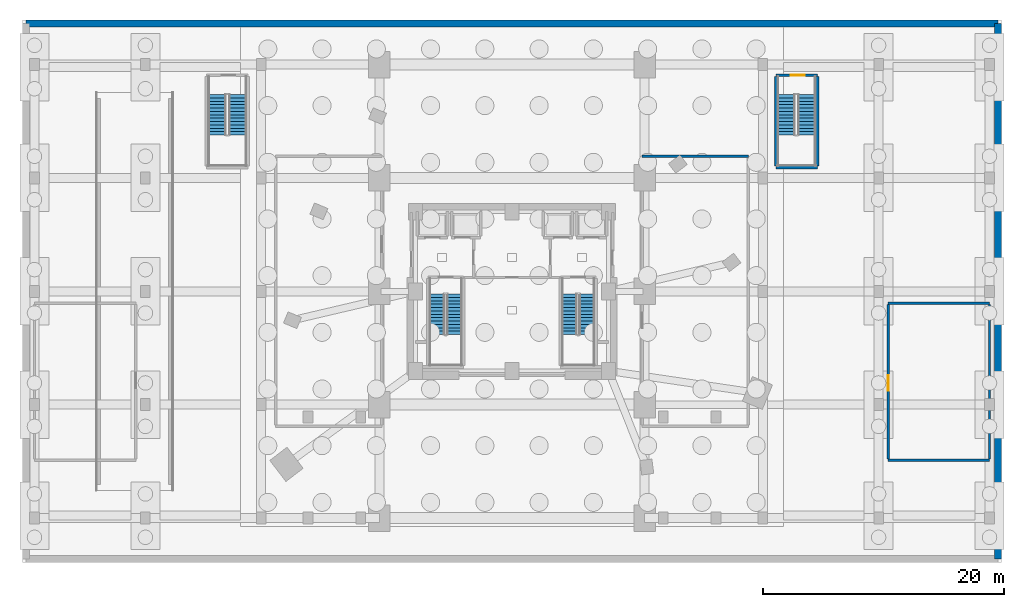
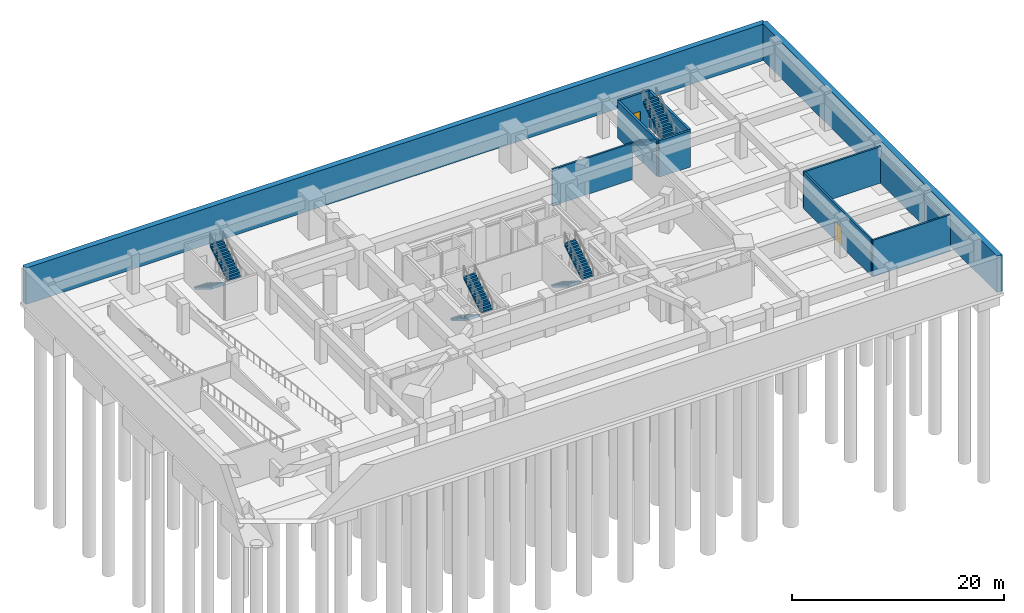
# One storey, part 5 of 10: 11 walls, 8 stair flights, 2 doors, 2 openings, 4 elements without a shape of their own.
"""IFC4 building model written with IfcOpenShell, lengths in metres."""

from ifc_helpers import new_model, si_unit, direction, frame, frame_2d, origin, place, context, subcontext, project, spatial, polyline, rectangle, outline, extrude, material, layer, layer_set, type_object, element, fill, aggregate, save


model = new_model("IFC4")

# Units and contexts
model_context = context("Model", 3, precision=1e-05, world=origin(), true_north=direction((0.0, 1.0)))
body_context = subcontext(model_context, "Body", "Model", "MODEL_VIEW")
ifc_project = project(units=[si_unit("LENGTHUNIT", "METRE"), si_unit("AREAUNIT", "SQUARE_METRE"), si_unit("VOLUMEUNIT", "CUBIC_METRE"), si_unit("PLANEANGLEUNIT", "RADIAN"), si_unit("MASSUNIT", "GRAM", prefix="KILO")], contexts=[model_context])

# Site, building, storey
site_placement = place(None, origin())
site = spatial("IfcSite", under=ifc_project, at=site_placement, CompositionType="ELEMENT")
building_placement = place(site_placement, origin())
building = spatial("IfcBuilding", under=site, at=building_placement, Name="Ndelora Gate Hotel", CompositionType="ELEMENT")
storey_placement = place(building_placement, frame((0.0, 0.0, -13.5)))
storey = spatial("IfcBuildingStorey", under=building, at=storey_placement, Name="B03", CompositionType="ELEMENT", Elevation=-13.5)

# Walls
ifc_material_1 = material(Name="Concrete C40/50", Category="concrete")
ifc_layer_1 = layer(ifc_material_1, 0.199951171875)
ifc_layer_set_1 = layer_set([ifc_layer_1], Name="Concrete C40/50")
wall_type_1 = type_object("IfcWallType", Name="WL-FIRE-200", PredefinedType="PARTITIONING", material=ifc_layer_set_1)
wall_1_placement = place(storey_placement, frame((10.800048828125, 11.199951171875, 0.0), z_axis=(0.0, 0.0, 1.0), x_axis=(1.0, 0.0, 0.0)))
element("IfcWall", 1, at=wall_1_placement, inside=storey, type_object=wall_type_1, Name="B03 Interior Wall IW-2", PredefinedType="PARTITIONING", context=body_context, shape_type="SweptSolid", body=[
    extrude(rectangle(XDim=8.800048828125, YDim=0.199951171875, at=frame_2d((4.39990234375, 0.0))), origin(), (0.0, 0.0, 1.0), 4.199951171875),
])
for number, where, z_axis, x_axis, name in (
    (2, (31.199951171875, -1.0, 0.0), (0.0, 0.0, 1.0), (1.0, 0.0, 0.0), "B03 Interior Wall IW-2"),
    (3, (31.199951171875, -14.0, 0.0), (0.0, 0.0, 1.0), (1.0, 0.0, 0.0), "B03 Interior Wall IW-2"),
):
    element("IfcWall", number, at=place(storey_placement, frame(where, z_axis=z_axis, x_axis=x_axis)), inside=storey, type_object=wall_type_1, Name=name, PredefinedType="PARTITIONING", context=body_context, shape_type="SweptSolid", body=[
        extrude(rectangle(XDim=8.400146484375, YDim=0.199951171875, at=frame_2d((4.2001953125, 0.0))), origin(), (0.0, 0.0, 1.0), 4.199951171875),
    ])

# Wall, opening, door
wall_2_placement = place(storey_placement, frame((31.199951171875, -1.110107421875, 0.0), z_axis=(0.0, 0.0, 1.0), x_axis=(0.0, -1.0, 0.0)))
wall_2 = element("IfcWall", 4, at=wall_2_placement, inside=storey, type_object=wall_type_1, Name="B03 Interior Wall IW-2", PredefinedType="PARTITIONING", context=body_context, shape_type="SweptSolid", body=[
    extrude(rectangle(XDim=12.77978515625, YDim=0.199951171875, at=frame_2d((6.389892578125, 0.0))), origin(), (0.0, 0.0, 1.0), 4.199951171875),
])
opening_1_placement = place(wall_2_placement, frame((5.85009765625, 0.0, 0.0)))
opening_1 = element("IfcOpeningElement", 5, at=opening_1_placement, cuts=wall_2, Name="Opening FD3", PredefinedType="OPENING", context=body_context, shape_type="SweptSolid", body=[
    extrude(rectangle(XDim=1.300048828125, YDim=2.14990234375, at=frame_2d((0.64990234375, 1.074951171875))), frame((0.0, 0.10986328125, 0.0), z_axis=(0.0, -1.0, 0.0), x_axis=(1.0, 0.0, 0.0)), (0.0, 0.0, 1.0), 0.219970703125),
])
ifc_material_2 = material(Name="Insulated Steel Plant Room Fire Door", Category="steel")
door_type_1 = type_object("IfcDoorType", Name="DR-PLT-1300", OperationType="SINGLE_SWING_LEFT", PredefinedType="DOOR", material=ifc_material_2)
door_1_placement = place(opening_1_placement, origin())
door_1 = element("IfcDoor", 6, at=door_1_placement, inside=storey, type_object=door_type_1, Name="B03 Fire Sprinkler and Domestic Booster Pump Room Door", OperationType="SINGLE_SWING_RIGHT", OverallHeight=2.14990234375, OverallWidth=1.300048828125, PredefinedType="DOOR", context=body_context, shape_type="SweptSolid", body=[
    extrude(rectangle(XDim=1.300048828125, YDim=2.14990234375, at=frame_2d((0.64990234375, 1.074951171875))), frame((0.0, 0.02490234375, 0.0), z_axis=(0.0, -1.0, 0.0), x_axis=(1.0, 0.0, 0.0)), (0.0, 0.0, 1.0), 0.050048828125),
])
fill(opening_1, door_1)

# Walls
wall_3_placement = place(storey_placement, frame((39.60009765625, -13.889892578125, 0.0), z_axis=(0.0, 0.0, 1.0), x_axis=(0.0, 1.0, 0.0)))
element("IfcWall", 7, at=wall_3_placement, inside=storey, type_object=wall_type_1, Name="B03 Interior Wall IW-2", PredefinedType="PARTITIONING", context=body_context, shape_type="SweptSolid", body=[
    extrude(rectangle(XDim=12.77978515625, YDim=0.199951171875, at=frame_2d((6.389892578125, 0.0))), origin(), (0.0, 0.0, 1.0), 3.179931640625),
])
ifc_layer_2 = layer(ifc_material_1, 0.60009765625)
ifc_layer_set_2 = layer_set([ifc_layer_2], Name="Concrete C40/50")
wall_type_2 = type_object("IfcWallType", Name="WL-RET-600", PredefinedType="SOLIDWALL", material=ifc_layer_set_2)
wall_4_placement = place(storey_placement, frame((40.300048828125, -22.199951171875, 0.0), z_axis=(0.0, 0.0, 1.0), x_axis=(0.0, 1.0, 0.0)))
element("IfcWall", 8, at=wall_4_placement, inside=storey, type_object=wall_type_2, Name="B03 Perimeter Retaining Wall RW-1 (2)", PredefinedType="SOLIDWALL", context=body_context, shape_type="SweptSolid", body=[
    extrude(rectangle(XDim=44.39990234375, YDim=0.60009765625, at=frame_2d((22.199951171875, 0.0))), origin(), (0.0, 0.0, 1.0), 4.199951171875),
])
wall_5_placement = place(storey_placement, frame((40.300048828125, 22.199951171875, 0.0), z_axis=(0.0, 0.0, 1.0), x_axis=(-1.0, 0.0, 0.0)))
element("IfcWall", 9, at=wall_5_placement, inside=storey, type_object=wall_type_2, Name="B03 Perimeter Retaining Wall RW-1 (3)", PredefinedType="SOLIDWALL", context=body_context, shape_type="SweptSolid", body=[
    extrude(rectangle(XDim=80.60009765625, YDim=0.60009765625, at=frame_2d((40.300048828125, 0.0))), origin(), (0.0, 0.0, 1.0), 4.199951171875),
])
ifc_material_3 = material(Name="Concrete C50/60", Category="concrete")
ifc_layer_3 = layer(ifc_material_3, 0.239990234375)
ifc_layer_set_3 = layer_set([ifc_layer_3], Name="Concrete C50/60")
wall_type_3 = type_object("IfcWallType", Name="WL-STAIR-240", PredefinedType="SHEAR", material=ifc_layer_set_3)
for number, where, z_axis, x_axis, name in (
    (10, (21.8798828125, 10.389892578125, 0.0), (0.0, 0.0, 1.0), (0.0, 1.0, 0.0), "B03 Stair Core Shear Wall SW-ST"),
    (11, (25.320068359375, 10.389892578125, 0.0), (0.0, 0.0, 1.0), (0.0, 1.0, 0.0), "B03 Stair Core Shear Wall SW-ST"),
):
    element("IfcWall", number, at=place(storey_placement, frame(where, z_axis=z_axis, x_axis=x_axis)), inside=storey, type_object=wall_type_3, Name=name, PredefinedType="SHEAR", context=body_context, shape_type="SweptSolid", body=[
        extrude(rectangle(XDim=7.420166015625, YDim=0.239990234375, at=frame_2d((3.7099609375, 0.0))), origin(), (0.0, 0.0, 1.0), 4.199951171875),
    ])
wall_6_placement = place(storey_placement, frame((21.8798828125, 10.280029296875, 0.0), z_axis=(0.0, 0.0, 1.0), x_axis=(1.0, 0.0, 0.0)))
element("IfcWall", 12, at=wall_6_placement, inside=storey, type_object=wall_type_3, Name="B03 Stair Core Shear Wall SW-ST", PredefinedType="SHEAR", context=body_context, shape_type="SweptSolid", body=[
    extrude(rectangle(XDim=3.440185546875, YDim=0.239990234375, at=frame_2d((1.72021484375, 0.0))), origin(), (0.0, 0.0, 1.0), 4.199951171875),
])

# Wall, opening, door
wall_7_placement = place(storey_placement, frame((25.320068359375, 17.919921875, 0.0), z_axis=(0.0, 0.0, 1.0), x_axis=(-1.0, 0.0, 0.0)))
wall_7 = element("IfcWall", 13, at=wall_7_placement, inside=storey, type_object=wall_type_3, Name="B03 Stair Core Shear Wall SW-ST", PredefinedType="SHEAR", context=body_context, shape_type="SweptSolid", body=[
    extrude(rectangle(XDim=3.440185546875, YDim=0.239990234375, at=frame_2d((1.72021484375, 0.0))), origin(), (0.0, 0.0, 1.0), 4.199951171875),
])
opening_2_placement = place(wall_7_placement, frame((1.050048828125, 0.0, 0.0)))
opening_2 = element("IfcOpeningElement", 14, at=opening_2_placement, cuts=wall_7, Name="Opening FD1", PredefinedType="OPENING", context=body_context, shape_type="SweptSolid", body=[
    extrude(rectangle(XDim=1.14990234375, YDim=2.14990234375, at=frame_2d((0.574951171875, 1.074951171875))), frame((0.0, 0.1298828125, 0.0), z_axis=(0.0, -1.0, 0.0), x_axis=(1.0, 0.0, 0.0)), (0.0, 0.0, 1.0), 0.260009765625),
])
ifc_material_4 = material(Name="Fire-Rated Timber-Veneer Steel Core", Category="steel")
door_type_2 = type_object("IfcDoorType", Name="DR-FD60", OperationType="SINGLE_SWING_LEFT", PredefinedType="DOOR", material=ifc_material_4)
door_2_placement = place(opening_2_placement, origin())
door_2 = element("IfcDoor", 15, at=door_2_placement, inside=storey, type_object=door_type_2, Name="B03 Escape Stair ST2 Door", OperationType="SINGLE_SWING_LEFT", OverallHeight=2.14990234375, OverallWidth=1.14990234375, PredefinedType="DOOR", context=body_context, shape_type="SweptSolid", body=[
    extrude(rectangle(XDim=1.14990234375, YDim=2.14990234375, at=frame_2d((0.574951171875, 1.074951171875))), frame((0.0, 0.02490234375, 0.0), z_axis=(0.0, -1.0, 0.0), x_axis=(1.0, 0.0, 0.0)), (0.0, 0.0, 1.0), 0.050048828125),
])
fill(opening_2, door_2)

# Stair, stair flights
ifc_material_5 = material(Name="Precast concrete C40/50", Category="concrete")
stair_type = type_object("IfcStairType", Name="STR-DOG-CORE", PredefinedType="HALF_TURN_STAIR", material=ifc_material_5)
stair_1_placement = place(storey_placement, origin())
stair_1 = element("IfcStair", 16, at=stair_1_placement, inside=storey, type_object=stair_type, Name="B03 Protected Core Exit Stair ST4", PredefinedType="HALF_TURN_STAIR")
stair_flight_type = type_object("IfcStairFlightType", Name="STF-PRECAST", PredefinedType="STRAIGHT", material=ifc_material_5)
stair_flight_1_placement = place(storey_placement, frame((-6.2099609375, -0.22998046875, 0.0), z_axis=(0.0, 0.0, 1.0), x_axis=(0.0, -1.0, 0.0)))
stair_flight_1 = element("IfcStairFlight", 17, at=stair_flight_1_placement, type_object=stair_flight_type, Name="ST4 flight 1", NumberOfRisers=13, NumberOfTreads=12, PredefinedType="STRAIGHT", RiserHeight=0.173076923, TreadLength=0.28, context=body_context, shape_type="SweptSolid", body=[
    extrude(outline(polyline([(-0.00048828125, 0.0), (-0.00048828125, 0.173095703125), (0.0, 0.173095703125), (0.280029296875, 0.173095703125), (0.280029296875, 0.34619140625), (0.56005859375, 0.34619140625), (0.56005859375, 0.519287109375), (0.840087890625, 0.519287109375), (0.840087890625, 0.6923828125), (1.1201171875, 0.6923828125), (1.1201171875, 0.865478515625), (1.39990234375, 0.865478515625), (1.39990234375, 1.03857421875), (1.679931640625, 1.03857421875), (1.679931640625, 1.21142578125), (1.9599609375, 1.21142578125), (1.9599609375, 1.384521484375), (2.239990234375, 1.384521484375), (2.239990234375, 1.5576171875), (2.52001953125, 1.5576171875), (2.52001953125, 1.730712890625), (2.800048828125, 1.730712890625), (2.800048828125, 1.90380859375), (3.080078125, 1.90380859375), (3.080078125, 2.076904296875), (3.360107421875, 2.076904296875), (3.360107421875, 2.25), (3.360595703125, 2.25), (3.360595703125, 2.070068359375), (3.360107421875, 1.900634765625), (0.28515625, 0.0), (-0.00048828125, 0.0)])), frame((0.0, 0.64013671875, 0.0), z_axis=(0.0, -1.0, 0.0), x_axis=(1.0, 0.0, 0.0)), (0.0, 0.0, 1.0), 1.280029296875),
])
stair_flight_2_placement = place(storey_placement, frame((-4.77001953125, -3.590087890625, 2.25), z_axis=(0.0, 0.0, 1.0), x_axis=(0.0, 1.0, 0.0)))
stair_flight_2 = element("IfcStairFlight", 18, at=stair_flight_2_placement, type_object=stair_flight_type, Name="ST4 flight 2", NumberOfRisers=13, NumberOfTreads=12, PredefinedType="STRAIGHT", RiserHeight=0.173076923, TreadLength=0.28, context=body_context, shape_type="SweptSolid", body=[
    extrude(outline(polyline([(-0.00048828125, 0.0), (-0.00048828125, 0.173095703125), (0.0, 0.173095703125), (0.280029296875, 0.173095703125), (0.280029296875, 0.34619140625), (0.56005859375, 0.34619140625), (0.56005859375, 0.519287109375), (0.840087890625, 0.519287109375), (0.840087890625, 0.6923828125), (1.1201171875, 0.6923828125), (1.1201171875, 0.865478515625), (1.39990234375, 0.865478515625), (1.39990234375, 1.03857421875), (1.679931640625, 1.03857421875), (1.679931640625, 1.21142578125), (1.9599609375, 1.21142578125), (1.9599609375, 1.384521484375), (2.239990234375, 1.384521484375), (2.239990234375, 1.5576171875), (2.52001953125, 1.5576171875), (2.52001953125, 1.730712890625), (2.800048828125, 1.730712890625), (2.800048828125, 1.90380859375), (3.080078125, 1.90380859375), (3.080078125, 2.076904296875), (3.360107421875, 2.076904296875), (3.360107421875, 2.25), (3.360595703125, 2.25), (3.360595703125, 2.070068359375), (3.360107421875, 1.900634765625), (0.28515625, 0.0), (-0.00048828125, 0.0)])), frame((0.0, 0.64013671875, 0.0), z_axis=(0.0, -1.0, 0.0), x_axis=(1.0, 0.0, 0.0)), (0.0, 0.0, 1.0), 1.280029296875),
])
aggregate(stair_1, [stair_flight_1, stair_flight_2])

stair_2_placement = place(storey_placement, origin())
stair_2 = element("IfcStair", 19, at=stair_2_placement, inside=storey, type_object=stair_type, Name="B03 Protected Core Exit Stair ST5", PredefinedType="HALF_TURN_STAIR")
stair_flight_3_placement = place(storey_placement, frame((4.77001953125, -0.22998046875, 0.0), z_axis=(0.0, 0.0, 1.0), x_axis=(0.0, -1.0, 0.0)))
stair_flight_3 = element("IfcStairFlight", 20, at=stair_flight_3_placement, type_object=stair_flight_type, Name="ST5 flight 1", NumberOfRisers=13, NumberOfTreads=12, PredefinedType="STRAIGHT", RiserHeight=0.173076923, TreadLength=0.28, context=body_context, shape_type="SweptSolid", body=[
    extrude(outline(polyline([(-0.00048828125, 0.0), (-0.00048828125, 0.173095703125), (0.0, 0.173095703125), (0.280029296875, 0.173095703125), (0.280029296875, 0.34619140625), (0.56005859375, 0.34619140625), (0.56005859375, 0.519287109375), (0.840087890625, 0.519287109375), (0.840087890625, 0.6923828125), (1.1201171875, 0.6923828125), (1.1201171875, 0.865478515625), (1.39990234375, 0.865478515625), (1.39990234375, 1.03857421875), (1.679931640625, 1.03857421875), (1.679931640625, 1.21142578125), (1.9599609375, 1.21142578125), (1.9599609375, 1.384521484375), (2.239990234375, 1.384521484375), (2.239990234375, 1.5576171875), (2.52001953125, 1.5576171875), (2.52001953125, 1.730712890625), (2.800048828125, 1.730712890625), (2.800048828125, 1.90380859375), (3.080078125, 1.90380859375), (3.080078125, 2.076904296875), (3.360107421875, 2.076904296875), (3.360107421875, 2.25), (3.360595703125, 2.25), (3.360595703125, 2.070068359375), (3.360107421875, 1.900634765625), (0.28515625, 0.0), (-0.00048828125, 0.0)])), frame((0.0, 0.64013671875, 0.0), z_axis=(0.0, -1.0, 0.0), x_axis=(1.0, 0.0, 0.0)), (0.0, 0.0, 1.0), 1.280029296875),
])
stair_flight_4_placement = place(storey_placement, frame((6.2099609375, -3.590087890625, 2.25), z_axis=(0.0, 0.0, 1.0), x_axis=(0.0, 1.0, 0.0)))
stair_flight_4 = element("IfcStairFlight", 21, at=stair_flight_4_placement, type_object=stair_flight_type, Name="ST5 flight 2", NumberOfRisers=13, NumberOfTreads=12, PredefinedType="STRAIGHT", RiserHeight=0.173076923, TreadLength=0.28, context=body_context, shape_type="SweptSolid", body=[
    extrude(outline(polyline([(-0.00048828125, 0.0), (-0.00048828125, 0.173095703125), (0.0, 0.173095703125), (0.280029296875, 0.173095703125), (0.280029296875, 0.34619140625), (0.56005859375, 0.34619140625), (0.56005859375, 0.519287109375), (0.840087890625, 0.519287109375), (0.840087890625, 0.6923828125), (1.1201171875, 0.6923828125), (1.1201171875, 0.865478515625), (1.39990234375, 0.865478515625), (1.39990234375, 1.03857421875), (1.679931640625, 1.03857421875), (1.679931640625, 1.21142578125), (1.9599609375, 1.21142578125), (1.9599609375, 1.384521484375), (2.239990234375, 1.384521484375), (2.239990234375, 1.5576171875), (2.52001953125, 1.5576171875), (2.52001953125, 1.730712890625), (2.800048828125, 1.730712890625), (2.800048828125, 1.90380859375), (3.080078125, 1.90380859375), (3.080078125, 2.076904296875), (3.360107421875, 2.076904296875), (3.360107421875, 2.25), (3.360595703125, 2.25), (3.360595703125, 2.070068359375), (3.360107421875, 1.900634765625), (0.28515625, 0.0), (-0.00048828125, 0.0)])), frame((0.0, 0.64013671875, 0.0), z_axis=(0.0, -1.0, 0.0), x_axis=(1.0, 0.0, 0.0)), (0.0, 0.0, 1.0), 1.280029296875),
])
aggregate(stair_2, [stair_flight_3, stair_flight_4])

stair_3_placement = place(storey_placement, origin())
stair_3 = element("IfcStair", 22, at=stair_3_placement, inside=storey, type_object=stair_type, Name="B03 Basement Escape Stair ST1", PredefinedType="HALF_TURN_STAIR")
stair_flight_5_placement = place(storey_placement, frame((-24.4599609375, 16.320068359375, 0.0), z_axis=(0.0, 0.0, 1.0), x_axis=(0.0, -1.0, 0.0)))
stair_flight_5 = element("IfcStairFlight", 23, at=stair_flight_5_placement, type_object=stair_flight_type, Name="ST1 flight 1", NumberOfRisers=13, NumberOfTreads=12, PredefinedType="STRAIGHT", RiserHeight=0.173076923, TreadLength=0.28, context=body_context, shape_type="SweptSolid", body=[
    extrude(outline(polyline([(-0.00048828125, 0.0), (-0.00048828125, 0.173095703125), (0.0, 0.173095703125), (0.280029296875, 0.173095703125), (0.280029296875, 0.34619140625), (0.56005859375, 0.34619140625), (0.56005859375, 0.519287109375), (0.840087890625, 0.519287109375), (0.840087890625, 0.6923828125), (1.1201171875, 0.6923828125), (1.1201171875, 0.865478515625), (1.39990234375, 0.865478515625), (1.39990234375, 1.03857421875), (1.679931640625, 1.03857421875), (1.679931640625, 1.21142578125), (1.9599609375, 1.21142578125), (1.9599609375, 1.384521484375), (2.239990234375, 1.384521484375), (2.239990234375, 1.5576171875), (2.52001953125, 1.5576171875), (2.52001953125, 1.730712890625), (2.800048828125, 1.730712890625), (2.800048828125, 1.90380859375), (3.080078125, 1.90380859375), (3.080078125, 2.076904296875), (3.360107421875, 2.076904296875), (3.360107421875, 2.25), (3.360595703125, 2.25), (3.360595703125, 2.070068359375), (3.360107421875, 1.900634765625), (0.28515625, 0.0), (-0.00048828125, 0.0)])), frame((0.0, 0.739990234375, 0.0), z_axis=(0.0, -1.0, 0.0), x_axis=(1.0, 0.0, 0.0)), (0.0, 0.0, 1.0), 1.47998046875),
])
stair_flight_6_placement = place(storey_placement, frame((-22.739990234375, 12.9599609375, 2.25), z_axis=(0.0, 0.0, 1.0), x_axis=(0.0, 1.0, 0.0)))
stair_flight_6 = element("IfcStairFlight", 24, at=stair_flight_6_placement, type_object=stair_flight_type, Name="ST1 flight 2", NumberOfRisers=13, NumberOfTreads=12, PredefinedType="STRAIGHT", RiserHeight=0.173076923, TreadLength=0.28, context=body_context, shape_type="SweptSolid", body=[
    extrude(outline(polyline([(-0.00048828125, 0.0), (-0.00048828125, 0.173095703125), (0.0, 0.173095703125), (0.280029296875, 0.173095703125), (0.280029296875, 0.34619140625), (0.56005859375, 0.34619140625), (0.56005859375, 0.519287109375), (0.840087890625, 0.519287109375), (0.840087890625, 0.6923828125), (1.1201171875, 0.6923828125), (1.1201171875, 0.865478515625), (1.39990234375, 0.865478515625), (1.39990234375, 1.03857421875), (1.679931640625, 1.03857421875), (1.679931640625, 1.21142578125), (1.9599609375, 1.21142578125), (1.9599609375, 1.384521484375), (2.239990234375, 1.384521484375), (2.239990234375, 1.5576171875), (2.52001953125, 1.5576171875), (2.52001953125, 1.730712890625), (2.800048828125, 1.730712890625), (2.800048828125, 1.90380859375), (3.080078125, 1.90380859375), (3.080078125, 2.076904296875), (3.360107421875, 2.076904296875), (3.360107421875, 2.25), (3.360595703125, 2.25), (3.360595703125, 2.070068359375), (3.360107421875, 1.900634765625), (0.28515625, 0.0), (-0.00048828125, 0.0)])), frame((0.0, 0.739990234375, 0.0), z_axis=(0.0, -1.0, 0.0), x_axis=(1.0, 0.0, 0.0)), (0.0, 0.0, 1.0), 1.47998046875),
])
aggregate(stair_3, [stair_flight_5, stair_flight_6])

stair_4_placement = place(storey_placement, origin())
stair_4 = element("IfcStair", 25, at=stair_4_placement, inside=storey, type_object=stair_type, Name="B03 Basement Escape Stair ST2", PredefinedType="HALF_TURN_STAIR")
stair_flight_7_placement = place(storey_placement, frame((22.739990234375, 16.320068359375, 0.0), z_axis=(0.0, 0.0, 1.0), x_axis=(0.0, -1.0, 0.0)))
stair_flight_7 = element("IfcStairFlight", 26, at=stair_flight_7_placement, type_object=stair_flight_type, Name="ST2 flight 1", NumberOfRisers=13, NumberOfTreads=12, PredefinedType="STRAIGHT", RiserHeight=0.173076923, TreadLength=0.28, context=body_context, shape_type="SweptSolid", body=[
    extrude(outline(polyline([(-0.00048828125, 0.0), (-0.00048828125, 0.173095703125), (0.0, 0.173095703125), (0.280029296875, 0.173095703125), (0.280029296875, 0.34619140625), (0.56005859375, 0.34619140625), (0.56005859375, 0.519287109375), (0.840087890625, 0.519287109375), (0.840087890625, 0.6923828125), (1.1201171875, 0.6923828125), (1.1201171875, 0.865478515625), (1.39990234375, 0.865478515625), (1.39990234375, 1.03857421875), (1.679931640625, 1.03857421875), (1.679931640625, 1.21142578125), (1.9599609375, 1.21142578125), (1.9599609375, 1.384521484375), (2.239990234375, 1.384521484375), (2.239990234375, 1.5576171875), (2.52001953125, 1.5576171875), (2.52001953125, 1.730712890625), (2.800048828125, 1.730712890625), (2.800048828125, 1.90380859375), (3.080078125, 1.90380859375), (3.080078125, 2.076904296875), (3.360107421875, 2.076904296875), (3.360107421875, 2.25), (3.360595703125, 2.25), (3.360595703125, 2.070068359375), (3.360107421875, 1.900634765625), (0.28515625, 0.0), (-0.00048828125, 0.0)])), frame((0.0, 0.739990234375, 0.0), z_axis=(0.0, -1.0, 0.0), x_axis=(1.0, 0.0, 0.0)), (0.0, 0.0, 1.0), 1.47998046875),
])
stair_flight_8_placement = place(storey_placement, frame((24.4599609375, 12.9599609375, 2.25), z_axis=(0.0, 0.0, 1.0), x_axis=(0.0, 1.0, 0.0)))
stair_flight_8 = element("IfcStairFlight", 27, at=stair_flight_8_placement, type_object=stair_flight_type, Name="ST2 flight 2", NumberOfRisers=13, NumberOfTreads=12, PredefinedType="STRAIGHT", RiserHeight=0.173076923, TreadLength=0.28, context=body_context, shape_type="SweptSolid", body=[
    extrude(outline(polyline([(-0.00048828125, 0.0), (-0.00048828125, 0.173095703125), (0.0, 0.173095703125), (0.280029296875, 0.173095703125), (0.280029296875, 0.34619140625), (0.56005859375, 0.34619140625), (0.56005859375, 0.519287109375), (0.840087890625, 0.519287109375), (0.840087890625, 0.6923828125), (1.1201171875, 0.6923828125), (1.1201171875, 0.865478515625), (1.39990234375, 0.865478515625), (1.39990234375, 1.03857421875), (1.679931640625, 1.03857421875), (1.679931640625, 1.21142578125), (1.9599609375, 1.21142578125), (1.9599609375, 1.384521484375), (2.239990234375, 1.384521484375), (2.239990234375, 1.5576171875), (2.52001953125, 1.5576171875), (2.52001953125, 1.730712890625), (2.800048828125, 1.730712890625), (2.800048828125, 1.90380859375), (3.080078125, 1.90380859375), (3.080078125, 2.076904296875), (3.360107421875, 2.076904296875), (3.360107421875, 2.25), (3.360595703125, 2.25), (3.360595703125, 2.070068359375), (3.360107421875, 1.900634765625), (0.28515625, 0.0), (-0.00048828125, 0.0)])), frame((0.0, 0.739990234375, 0.0), z_axis=(0.0, -1.0, 0.0), x_axis=(1.0, 0.0, 0.0)), (0.0, 0.0, 1.0), 1.47998046875),
])
aggregate(stair_4, [stair_flight_7, stair_flight_8])

save(model, "model.ifc")
